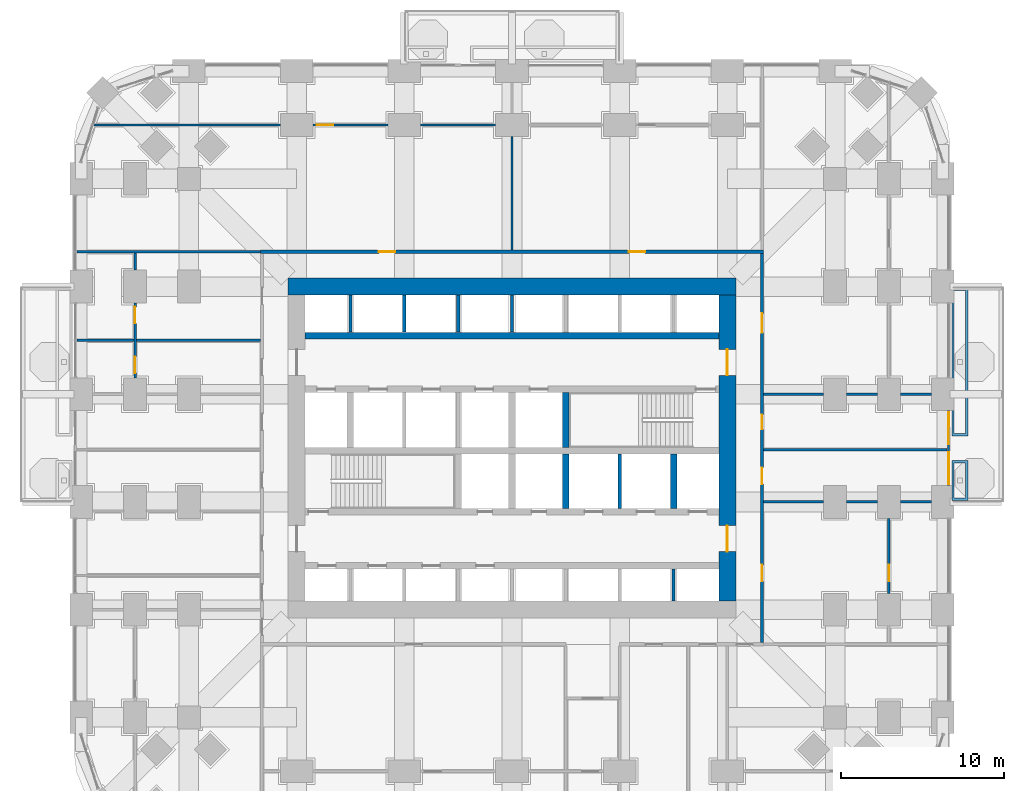
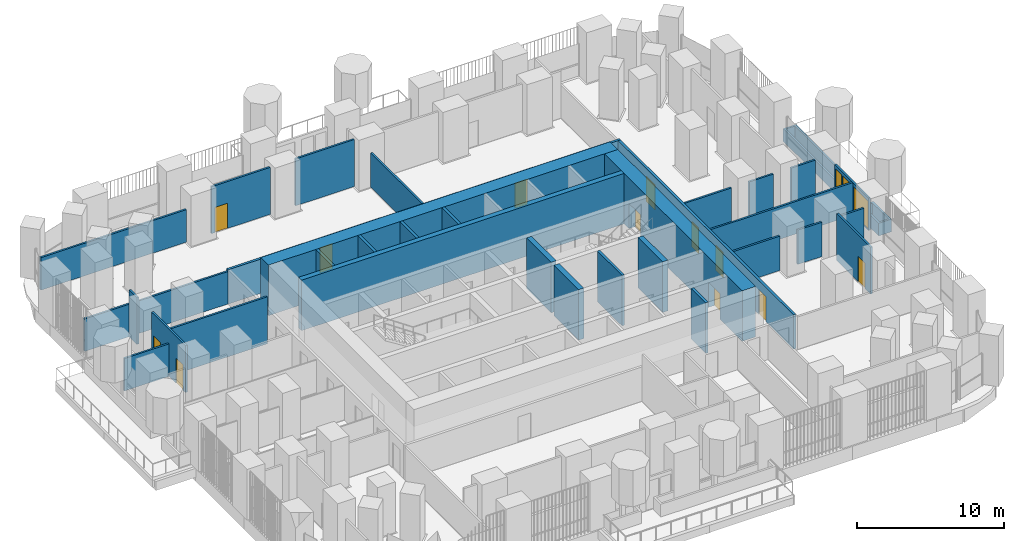
# One storey, part 18 of 24: 34 walls, 13 doors, 2 windows, 15 openings.
"""IFC4 building model written with IfcOpenShell, lengths in metres."""

from ifc_helpers import new_model, si_unit, direction, frame, frame_2d, origin, place, context, subcontext, project, spatial, polyline, rectangle, outline, extrude, material, layer, layer_set, type_object, element, fill, save


model = new_model("IFC4")

# Units and contexts
model_context = context("Model", 3, precision=1e-05, world=origin(), true_north=direction((0.0, 1.0)))
body_context = subcontext(model_context, "Body", "Model", "MODEL_VIEW")
ifc_project = project(units=[si_unit("LENGTHUNIT", "METRE"), si_unit("AREAUNIT", "SQUARE_METRE"), si_unit("VOLUMEUNIT", "CUBIC_METRE"), si_unit("PLANEANGLEUNIT", "RADIAN"), si_unit("MASSUNIT", "GRAM", prefix="KILO")], contexts=[model_context])

# Site, building, storey
site_placement = place(None, origin())
site = spatial("IfcSite", under=ifc_project, at=site_placement, CompositionType="ELEMENT")
building_placement = place(site_placement, origin())
building = spatial("IfcBuilding", under=site, at=building_placement, Name="Cobogo Forest Laboratory Tower", CompositionType="ELEMENT")
storey_placement = place(building_placement, frame((0.0, 0.0, 17.10009765625)))
storey = spatial("IfcBuildingStorey", under=building, at=storey_placement, Name="L03", CompositionType="ELEMENT", Elevation=17.10009765625)

# Walls
ifc_material_1 = material(Name="Concrete HA-50 (C50/60)", Category="concrete")
ifc_layer_1 = layer(ifc_material_1, 0.39990234375)
ifc_layer_set_1 = layer_set([ifc_layer_1], Name="CI400 core inner wall 400")
wall_type_1 = type_object("IfcWallType", Name="CI400 core inner wall 400", PredefinedType="SHEAR", material=ifc_layer_set_1)
wall_1_placement = place(storey_placement, frame((13.72509765625, 30.0, 0.0), z_axis=(0.0, 0.0, 1.0), x_axis=(1.0, 0.0, 0.0)))
element("IfcWall", 1, at=wall_1_placement, inside=storey, type_object=wall_type_1, Name="Core wall CI-30.0 L03", PredefinedType="SHEAR", context=body_context, shape_type="SweptSolid", body=[
    extrude(rectangle(XDim=25.349853515625, YDim=0.39990234375, at=frame_2d((12.6748046875, 0.0))), origin(), (0.0, 0.0, 1.0), 4.199951171875),
])
for number, where, z_axis, x_axis, name in (
    (2, (29.699951171875, 19.39990234375, 0.0), (0.0, 0.0, 1.0), (0.0, 1.0, 0.0), "Core wall CX-29.7S L03"),
    (3, (36.300048828125, 19.39990234375, 0.0), (0.0, 0.0, 1.0), (0.0, 1.0, 0.0), "Core wall CX-36.3 L03"),
    (4, (29.699951171875, 23.14990234375, 0.0), (0.0, 0.0, 1.0), (0.0, 1.0, 0.0), "Core wall CX-29.7N L03"),
):
    element("IfcWall", number, at=place(storey_placement, frame(where, z_axis=z_axis, x_axis=x_axis)), inside=storey, type_object=wall_type_1, Name=name, PredefinedType="SHEAR", context=body_context, shape_type="SweptSolid", body=[
        extrude(rectangle(XDim=3.35009765625, YDim=0.39990234375, at=frame_2d((1.675048828125, 0.0))), origin(), (0.0, 0.0, 1.0), 4.199951171875),
    ])

# Wall, openings, doors
ifc_layer_2 = layer(ifc_material_1, 1.050048828125)
ifc_layer_set_2 = layer_set([ifc_layer_2], Name="CW1050 core outer wall 1050")
wall_type_2 = type_object("IfcWallType", Name="CW1050 core outer wall 1050", PredefinedType="SHEAR", material=ifc_layer_set_2)
wall_2_placement = place(storey_placement, frame((39.60009765625, 13.72509765625, 0.0), z_axis=(0.0, 0.0, 1.0), x_axis=(0.0, 1.0, 0.0)))
wall_2 = element("IfcWall", 5, at=wall_2_placement, inside=storey, type_object=wall_type_2, Name="Core wall CO-E L03", PredefinedType="SHEAR", context=body_context, shape_type="SweptSolid", body=[
    extrude(rectangle(XDim=18.75, YDim=1.050048828125, at=frame_2d((9.375, 0.0))), origin(), (0.0, 0.0, 1.0), 4.199951171875),
])
opening_1_placement = place(wall_2_placement, frame((3.02490234375, 0.0, 0.0)))
opening_1 = element("IfcOpeningElement", 6, at=opening_1_placement, cuts=wall_2, Name="Opening L03-D17", PredefinedType="OPENING", context=body_context, shape_type="SweptSolid", body=[
    extrude(rectangle(XDim=1.60009765625, YDim=2.10009765625, at=frame_2d((0.800048828125, 1.050048828125))), frame((0.0, 0.534912109375, 0.0), z_axis=(0.0, -1.0, 0.0), x_axis=(1.0, 0.0, 0.0)), (0.0, 0.0, 1.0), 1.070068359375),
])
opening_2_placement = place(wall_2_placement, frame((13.824951171875, 0.0, 0.0)))
opening_2 = element("IfcOpeningElement", 7, at=opening_2_placement, cuts=wall_2, Name="Opening L03-D31", PredefinedType="OPENING", context=body_context, shape_type="SweptSolid", body=[
    extrude(rectangle(XDim=1.60009765625, YDim=2.10009765625, at=frame_2d((0.800048828125, 1.050048828125))), frame((0.0, 0.534912109375, 0.0), z_axis=(0.0, -1.0, 0.0), x_axis=(1.0, 0.0, 0.0)), (0.0, 0.0, 1.0), 1.070068359375),
])
ifc_material_2 = material(Name="Steel fire door", Category="steel")
door_type_1 = type_object("IfcDoorType", Name="DS2 protected lobby door pair 1600 EI2 60", OperationType="DOUBLE_DOOR_DOUBLE_SWING", PredefinedType="DOOR", material=ifc_material_2)
door_1_placement = place(opening_1_placement, origin())
door_1 = element("IfcDoor", 8, at=door_1_placement, inside=storey, type_object=door_type_1, Name="Door L03-CO-E-S", OperationType="DOUBLE_DOOR_DOUBLE_SWING", OverallHeight=2.10009765625, OverallWidth=1.60009765625, PredefinedType="DOOR", context=body_context, shape_type="SweptSolid", body=[
    extrude(rectangle(XDim=1.60009765625, YDim=2.10009765625, at=frame_2d((0.800048828125, 1.050048828125))), frame((0.0, 0.02490234375, 0.0), z_axis=(0.0, -1.0, 0.0), x_axis=(1.0, 0.0, 0.0)), (0.0, 0.0, 1.0), 0.050048828125),
])
fill(opening_1, door_1)
door_2_placement = place(opening_2_placement, origin())
door_2 = element("IfcDoor", 9, at=door_2_placement, inside=storey, type_object=door_type_1, Name="Door L03-CO-E-N", OperationType="DOUBLE_DOOR_DOUBLE_SWING", OverallHeight=2.10009765625, OverallWidth=1.60009765625, PredefinedType="DOOR", context=body_context, shape_type="SweptSolid", body=[
    extrude(rectangle(XDim=1.60009765625, YDim=2.10009765625, at=frame_2d((0.800048828125, 1.050048828125))), frame((0.0, 0.02490234375, 0.0), z_axis=(0.0, -1.0, 0.0), x_axis=(1.0, 0.0, 0.0)), (0.0, 0.0, 1.0), 0.050048828125),
])
fill(opening_2, door_2)

# Wall
wall_3_placement = place(storey_placement, frame((40.125, 33.0, 0.0), z_axis=(0.0, 0.0, 1.0), x_axis=(-1.0, 0.0, 0.0)))
element("IfcWall", 10, at=wall_3_placement, inside=storey, type_object=wall_type_2, Name="Core wall CO-N L03", PredefinedType="SHEAR", context=body_context, shape_type="SweptSolid", body=[
    extrude(rectangle(XDim=27.449951171875, YDim=1.050048828125, at=frame_2d((13.72509765625, 0.0))), origin(), (0.0, 0.0, 1.0), 4.199951171875),
])

# Wall, openings, door, windows
ifc_material_3 = material(Name="Aluminium framed glazed screen", Category="aluminium")
ifc_layer_3 = layer(ifc_material_3, 0.14990234375)
ifc_layer_set_3 = layer_set([ifc_layer_3], Name="GS1 glazed door screen 150")
wall_type_3 = type_object("IfcWallType", Name="GS1 glazed door screen 150", PredefinedType="SOLIDWALL", material=ifc_layer_set_3)
wall_4_placement = place(storey_placement, frame((53.14990234375, 20.800048828125, 0.0), z_axis=(0.0, 0.0, 1.0), x_axis=(0.0, 1.0, 0.0)))
wall_4 = element("IfcWall", 11, at=wall_4_placement, inside=storey, type_object=wall_type_3, Name="Door screen BAL-E1 L03", PredefinedType="SOLIDWALL", context=body_context, shape_type="SweptSolid", body=[
    extrude(rectangle(XDim=4.599853515625, YDim=0.14990234375, at=frame_2d((2.2998046875, 0.0))), origin(), (0.0, 0.0, 1.0), 2.699951171875),
])
opening_3_placement = place(wall_4_placement, frame((2.550048828125, 0.0, 0.0)))
opening_3 = element("IfcOpeningElement", 12, at=opening_3_placement, cuts=wall_4, Name="Opening L03-D24", PredefinedType="OPENING", context=body_context, shape_type="SweptSolid", body=[
    extrude(rectangle(XDim=1.0, YDim=2.39990234375, at=frame_2d((0.5, 1.199951171875))), frame((0.0, 0.0849609375, 0.0), z_axis=(0.0, -1.0, 0.0), x_axis=(1.0, 0.0, 0.0)), (0.0, 0.0, 1.0), 0.169921875),
])
opening_4_placement = place(wall_4_placement, frame((0.10009765625, 0.0, 0.10009765625)))
opening_4 = element("IfcOpeningElement", 13, at=opening_4_placement, cuts=wall_4, Name="Opening L03-W04", PredefinedType="OPENING", context=body_context, shape_type="SweptSolid", body=[
    extrude(rectangle(XDim=1.949951171875, YDim=2.300048828125, at=frame_2d((0.97509765625, 1.14990234375))), frame((0.0, 0.0849609375, 0.0), z_axis=(0.0, -1.0, 0.0), x_axis=(1.0, 0.0, 0.0)), (0.0, 0.0, 1.0), 0.169921875),
])
opening_5_placement = place(wall_4_placement, frame((3.64990234375, 0.0, 0.10009765625)))
opening_5 = element("IfcOpeningElement", 14, at=opening_5_placement, cuts=wall_4, Name="Opening L03-W06", PredefinedType="OPENING", context=body_context, shape_type="SweptSolid", body=[
    extrude(rectangle(XDim=0.85009765625, YDim=2.300048828125, at=frame_2d((0.425048828125, 1.14990234375))), frame((0.0, 0.0849609375, 0.0), z_axis=(0.0, -1.0, 0.0), x_axis=(1.0, 0.0, 0.0)), (0.0, 0.0, 1.0), 0.169921875),
])
ifc_material_4 = material(Name="Aluminium glazed door", Category="aluminium")
door_type_2 = type_object("IfcDoorType", Name="DB1 balcony door 1000 glazed", OperationType="SINGLE_SWING_LEFT", PredefinedType="DOOR", material=ifc_material_4)
door_3_placement = place(opening_3_placement, origin())
door_3 = element("IfcDoor", 15, at=door_3_placement, inside=storey, type_object=door_type_2, Name="Door L03-BAL-E1", OperationType="SINGLE_SWING_RIGHT", OverallHeight=2.39990234375, OverallWidth=1.0, PredefinedType="DOOR", context=body_context, shape_type="SweptSolid", body=[
    extrude(rectangle(XDim=1.0, YDim=2.39990234375, at=frame_2d((0.5, 1.199951171875))), frame((0.0, 0.02490234375, 0.0), z_axis=(0.0, -1.0, 0.0), x_axis=(1.0, 0.0, 0.0)), (0.0, 0.0, 1.0), 0.050048828125),
])
fill(opening_3, door_3)
ifc_material_5 = material(Name="Aluminium framed glazing", Category="aluminium")
window_type_1 = type_object("IfcWindowType", Name="WG1 fixed glazed light 1950x2300", PartitioningType="SINGLE_PANEL", PredefinedType="WINDOW", material=ifc_material_5)
window_1_placement = place(opening_4_placement, origin())
window_1 = element("IfcWindow", 16, at=window_1_placement, inside=storey, type_object=window_type_1, Name="Window L03-BAL-E1-1", OverallHeight=2.300048828125, OverallWidth=1.949951171875, PartitioningType="SINGLE_PANEL", PredefinedType="WINDOW", context=body_context, shape_type="SweptSolid", body=[
    extrude(rectangle(XDim=1.949951171875, YDim=2.300048828125, at=frame_2d((0.97509765625, 1.14990234375))), frame((0.0, 0.030029296875, 0.0), z_axis=(0.0, -1.0, 0.0), x_axis=(1.0, 0.0, 0.0)), (0.0, 0.0, 1.0), 0.06005859375),
])
fill(opening_4, window_1)
window_type_2 = type_object("IfcWindowType", Name="WG2 fixed glazed light 850x2300", PartitioningType="SINGLE_PANEL", PredefinedType="WINDOW", material=ifc_material_5)
window_2_placement = place(opening_5_placement, origin())
window_2 = element("IfcWindow", 17, at=window_2_placement, inside=storey, type_object=window_type_2, Name="Window L03-BAL-E1-2", OverallHeight=2.300048828125, OverallWidth=0.85009765625, PartitioningType="SINGLE_PANEL", PredefinedType="WINDOW", context=body_context, shape_type="SweptSolid", body=[
    extrude(rectangle(XDim=0.85009765625, YDim=2.300048828125, at=frame_2d((0.425048828125, 1.14990234375))), frame((0.0, 0.030029296875, 0.0), z_axis=(0.0, -1.0, 0.0), x_axis=(1.0, 0.0, 0.0)), (0.0, 0.0, 1.0), 0.06005859375),
])
fill(opening_5, window_2)

# Wall
ifc_material_6 = material(Name="Gypsum board on steel studs", Category="steel")
ifc_layer_4 = layer(ifc_material_6, 0.14990234375)
ifc_layer_set_4 = layer_set([ifc_layer_4], Name="PT1 laboratory partition 150")
wall_type_4 = type_object("IfcWallType", Name="PT1 laboratory partition 150", PredefinedType="PARTITIONING", material=ifc_layer_set_4)
wall_5_placement = place(storey_placement, frame((-0.27001953125, 35.125, 0.0), z_axis=(0.0, 0.0, 1.0), x_axis=(1.0, 0.0, 0.0)))
element("IfcWall", 18, at=wall_5_placement, inside=storey, type_object=wall_type_4, Name="Partition PW-NW L03", PredefinedType="PARTITIONING", context=body_context, shape_type="SweptSolid", body=[
    extrude(rectangle(XDim=11.2451171875, YDim=0.14990234375, at=frame_2d((5.62255859375, 0.0))), origin(), (0.0, 0.0, 1.0), 2.699951171875),
])

# Wall, opening, door
wall_6_placement = place(storey_placement, frame((49.5, 14.199951171875, 0.0), z_axis=(0.0, 0.0, 1.0), x_axis=(0.0, 1.0, 0.0)))
wall_6 = element("IfcWall", 19, at=wall_6_placement, inside=storey, type_object=wall_type_4, Name="Partition STRIP-E-2 L03", PredefinedType="PARTITIONING", context=body_context, shape_type="SweptSolid", body=[
    extrude(rectangle(XDim=4.60009765625, YDim=0.14990234375, at=frame_2d((2.300048828125, 0.0))), origin(), (0.0, 0.0, 1.0), 3.89990234375),
])
opening_6_placement = place(wall_6_placement, frame((0.737548828125, 0.0, 0.0)))
opening_6 = element("IfcOpeningElement", 20, at=opening_6_placement, cuts=wall_6, Name="Opening L03-D14", PredefinedType="OPENING", context=body_context, shape_type="SweptSolid", body=[
    extrude(rectangle(XDim=1.0, YDim=2.10009765625, at=frame_2d((0.5, 1.050048828125))), frame((0.0, 0.0849609375, 0.0), z_axis=(0.0, -1.0, 0.0), x_axis=(1.0, 0.0, 0.0)), (0.0, 0.0, 1.0), 0.169921875),
])
ifc_material_7 = material(Name="Timber fire door", Category="wood")
door_type_3 = type_object("IfcDoorType", Name="FD2 fire door 1000 EI2 30", OperationType="SINGLE_SWING_LEFT", PredefinedType="DOOR", material=ifc_material_7)
door_4_placement = place(opening_6_placement, origin())
door_4 = element("IfcDoor", 21, at=door_4_placement, inside=storey, type_object=door_type_3, Name="Door L03-E1W", OperationType="SINGLE_SWING_LEFT", OverallHeight=2.10009765625, OverallWidth=1.0, PredefinedType="DOOR", context=body_context, shape_type="SweptSolid", body=[
    extrude(rectangle(XDim=1.0, YDim=2.10009765625, at=frame_2d((0.5, 1.050048828125))), frame((0.0, 0.02490234375, 0.0), z_axis=(0.0, -1.0, 0.0), x_axis=(1.0, 0.0, 0.0)), (0.0, 0.0, 1.0), 0.050048828125),
])
fill(opening_6, door_4)

# Walls
wall_7_placement = place(storey_placement, frame((53.070068359375, 23.0, 0.0), z_axis=(0.0, 0.0, 1.0), x_axis=(-1.0, 0.0, 0.0)))
element("IfcWall", 22, at=wall_7_placement, inside=storey, type_object=wall_type_4, Name="Partition SVC-E1-1 L03", PredefinedType="PARTITIONING", context=body_context, shape_type="SweptSolid", body=[
    extrude(rectangle(XDim=11.2451171875, YDim=0.14990234375, at=frame_2d((5.62255859375, 0.0))), origin(), (0.0, 0.0, 1.0), 2.699951171875),
])
for number, where, z_axis, x_axis, name in (
    (23, (52.10009765625, 26.39990234375, 0.0), (0.0, 0.0, 1.0), (-1.0, 0.0, 0.0), "Partition SVC-E2-1 L03"),
    (24, (48.800048828125, 26.39990234375, 0.0), (0.0, 0.0, 1.0), (-1.0, 0.0, 0.0), "Partition SVC-E2-2 L03"),
):
    element("IfcWall", number, at=place(storey_placement, frame(where, z_axis=z_axis, x_axis=x_axis)), inside=storey, type_object=wall_type_4, Name=name, PredefinedType="PARTITIONING", context=body_context, shape_type="SweptSolid", body=[
        extrude(rectangle(XDim=1.900146484375, YDim=0.14990234375, at=frame_2d((0.9501953125, 0.0))), origin(), (0.0, 0.0, 1.0), 2.849853515625),
    ])
wall_8_placement = place(storey_placement, frame((45.5, 26.39990234375, 0.0), z_axis=(0.0, 0.0, 1.0), x_axis=(-1.0, 0.0, 0.0)))
element("IfcWall", 25, at=wall_8_placement, inside=storey, type_object=wall_type_4, Name="Partition SVC-E2-3 L03", PredefinedType="PARTITIONING", context=body_context, shape_type="SweptSolid", body=[
    extrude(rectangle(XDim=3.675048828125, YDim=0.14990234375, at=frame_2d((1.83740234375, 0.0))), origin(), (0.0, 0.0, 1.0), 2.849853515625),
])
for number, where, z_axis, x_axis, name in (
    (26, (52.10009765625, 19.800048828125, 0.0), (0.0, 0.0, 1.0), (-1.0, 0.0, 0.0), "Partition CUT-E19.8-1 L03"),
    (27, (48.800048828125, 19.800048828125, 0.0), (0.0, 0.0, 1.0), (-1.0, 0.0, 0.0), "Partition CUT-E19.8-2 L03"),
):
    element("IfcWall", number, at=place(storey_placement, frame(where, z_axis=z_axis, x_axis=x_axis)), inside=storey, type_object=wall_type_4, Name=name, PredefinedType="PARTITIONING", context=body_context, shape_type="SweptSolid", body=[
        extrude(rectangle(XDim=1.900146484375, YDim=0.14990234375, at=frame_2d((0.9501953125, 0.0))), origin(), (0.0, 0.0, 1.0), 2.849853515625),
    ])
wall_9_placement = place(storey_placement, frame((45.5, 19.800048828125, 0.0), z_axis=(0.0, 0.0, 1.0), x_axis=(-1.0, 0.0, 0.0)))
element("IfcWall", 28, at=wall_9_placement, inside=storey, type_object=wall_type_4, Name="Partition CUT-E19.8-3 L03", PredefinedType="PARTITIONING", context=body_context, shape_type="SweptSolid", body=[
    extrude(rectangle(XDim=3.675048828125, YDim=0.14990234375, at=frame_2d((1.83740234375, 0.0))), origin(), (0.0, 0.0, 1.0), 2.849853515625),
])
wall_10_placement = place(storey_placement, frame((25.39990234375, 42.89990234375, 0.0), z_axis=(0.0, 0.0, 1.0), x_axis=(-1.0, 0.0, 0.0)))
element("IfcWall", 29, at=wall_10_placement, inside=storey, type_object=wall_type_4, Name="Partition STRIP-N-4 L03", PredefinedType="PARTITIONING", context=body_context, shape_type="SweptSolid", body=[
    extrude(rectangle(XDim=4.599853515625, YDim=0.14990234375, at=frame_2d((2.2998046875, 0.0))), origin(), (0.0, 0.0, 1.0), 3.89990234375),
])

# Wall, opening, door
wall_11_placement = place(storey_placement, frame((18.800048828125, 42.89990234375, 0.0), z_axis=(0.0, 0.0, 1.0), x_axis=(-1.0, 0.0, 0.0)))
wall_11 = element("IfcWall", 30, at=wall_11_placement, inside=storey, type_object=wall_type_4, Name="Partition STRIP-N-5 L03", PredefinedType="PARTITIONING", context=body_context, shape_type="SweptSolid", body=[
    extrude(rectangle(XDim=4.60009765625, YDim=0.14990234375, at=frame_2d((2.300048828125, 0.0))), origin(), (0.0, 0.0, 1.0), 3.89990234375),
])
opening_7_placement = place(wall_11_placement, frame((3.35009765625, 0.0, 0.0)))
opening_7 = element("IfcOpeningElement", 31, at=opening_7_placement, cuts=wall_11, Name="Opening L03-D38", PredefinedType="OPENING", context=body_context, shape_type="SweptSolid", body=[
    extrude(rectangle(XDim=1.0, YDim=2.10009765625, at=frame_2d((0.5, 1.050048828125))), frame((0.0, 0.0849609375, 0.0), z_axis=(0.0, -1.0, 0.0), x_axis=(1.0, 0.0, 0.0)), (0.0, 0.0, 1.0), 0.169921875),
])
door_5_placement = place(opening_7_placement, origin())
door_5 = element("IfcDoor", 32, at=door_5_placement, inside=storey, type_object=door_type_3, Name="Door L03-N1W", OperationType="SINGLE_SWING_RIGHT", OverallHeight=2.10009765625, OverallWidth=1.0, PredefinedType="DOOR", context=body_context, shape_type="SweptSolid", body=[
    extrude(rectangle(XDim=1.0, YDim=2.10009765625, at=frame_2d((0.5, 1.050048828125))), frame((0.0, 0.02490234375, 0.0), z_axis=(0.0, -1.0, 0.0), x_axis=(1.0, 0.0, 0.0)), (0.0, 0.0, 1.0), 0.050048828125),
])
fill(opening_7, door_5)

# Walls
wall_12_placement = place(storey_placement, frame((12.199951171875, 42.89990234375, 0.0), z_axis=(0.0, 0.0, 1.0), x_axis=(-1.0, 0.0, 0.0)))
element("IfcWall", 33, at=wall_12_placement, inside=storey, type_object=wall_type_4, Name="Partition STRIP-N-6 L03", PredefinedType="PARTITIONING", context=body_context, shape_type="SweptSolid", body=[
    extrude(rectangle(XDim=11.423828125, YDim=0.14990234375, at=frame_2d((5.7119140625, 0.0))), origin(), (0.0, 0.0, 1.0), 2.699951171875),
])
wall_13_placement = place(storey_placement, frame((26.39990234375, 42.199951171875, 0.0), z_axis=(0.0, 0.0, 1.0), x_axis=(0.0, -1.0, 0.0)))
element("IfcWall", 34, at=wall_13_placement, inside=storey, type_object=wall_type_4, Name="Partition CUT-N26.4b-1 L03", PredefinedType="PARTITIONING", context=body_context, shape_type="SweptSolid", body=[
    extrude(rectangle(XDim=6.974853515625, YDim=0.14990234375, at=frame_2d((3.4873046875, 0.0))), origin(), (0.0, 0.0, 1.0), 2.849853515625),
])
wall_14_placement = place(storey_placement, frame((3.300048828125, 35.050048828125, 0.0), z_axis=(0.0, 0.0, 1.0), x_axis=(0.0, -1.0, 0.0)))
element("IfcWall", 35, at=wall_14_placement, inside=storey, type_object=wall_type_4, Name="Partition STRIP-W-1 L03", PredefinedType="PARTITIONING", context=body_context, shape_type="SweptSolid", body=[
    extrude(rectangle(XDim=1.050048828125, YDim=0.14990234375, at=frame_2d((0.52490234375, 0.0))), origin(), (0.0, 0.0, 1.0), 3.89990234375),
])

# Wall, openings, doors
wall_15_placement = place(storey_placement, frame((3.300048828125, 32.0, 0.0), z_axis=(0.0, 0.0, 1.0), x_axis=(0.0, -1.0, 0.0)))
wall_15 = element("IfcWall", 36, at=wall_15_placement, inside=storey, type_object=wall_type_4, Name="Partition STRIP-W-2 L03", PredefinedType="PARTITIONING", context=body_context, shape_type="SweptSolid", body=[
    extrude(rectangle(XDim=4.60009765625, YDim=0.14990234375, at=frame_2d((2.300048828125, 0.0))), origin(), (0.0, 0.0, 1.0), 3.89990234375),
])
opening_8_placement = place(wall_15_placement, frame((3.300048828125, 0.0, 0.0)))
opening_8 = element("IfcOpeningElement", 37, at=opening_8_placement, cuts=wall_15, Name="Opening L03-D29", PredefinedType="OPENING", context=body_context, shape_type="SweptSolid", body=[
    extrude(rectangle(XDim=1.0, YDim=2.10009765625, at=frame_2d((0.5, 1.050048828125))), frame((0.0, 0.0849609375, 0.0), z_axis=(0.0, -1.0, 0.0), x_axis=(1.0, 0.0, 0.0)), (0.0, 0.0, 1.0), 0.169921875),
])
opening_9_placement = place(wall_15_placement, frame((0.25, 0.0, 0.0)))
opening_9 = element("IfcOpeningElement", 38, at=opening_9_placement, cuts=wall_15, Name="Opening L03-D33", PredefinedType="OPENING", context=body_context, shape_type="SweptSolid", body=[
    extrude(rectangle(XDim=1.0, YDim=2.10009765625, at=frame_2d((0.5, 1.050048828125))), frame((0.0, 0.0849609375, 0.0), z_axis=(0.0, -1.0, 0.0), x_axis=(1.0, 0.0, 0.0)), (0.0, 0.0, 1.0), 0.169921875),
])
door_6_placement = place(opening_8_placement, origin())
door_6 = element("IfcDoor", 39, at=door_6_placement, inside=storey, type_object=door_type_3, Name="Door L03-W3W", OperationType="SINGLE_SWING_RIGHT", OverallHeight=2.10009765625, OverallWidth=1.0, PredefinedType="DOOR", context=body_context, shape_type="SweptSolid", body=[
    extrude(rectangle(XDim=1.0, YDim=2.10009765625, at=frame_2d((0.5, 1.050048828125))), frame((0.0, 0.02490234375, 0.0), z_axis=(0.0, -1.0, 0.0), x_axis=(1.0, 0.0, 0.0)), (0.0, 0.0, 1.0), 0.050048828125),
])
fill(opening_8, door_6)
door_7_placement = place(opening_9_placement, origin())
door_7 = element("IfcDoor", 40, at=door_7_placement, inside=storey, type_object=door_type_3, Name="Door L03-W4W", OperationType="SINGLE_SWING_LEFT", OverallHeight=2.10009765625, OverallWidth=1.0, PredefinedType="DOOR", context=body_context, shape_type="SweptSolid", body=[
    extrude(rectangle(XDim=1.0, YDim=2.10009765625, at=frame_2d((0.5, 1.050048828125))), frame((0.0, 0.02490234375, 0.0), z_axis=(0.0, -1.0, 0.0), x_axis=(1.0, 0.0, 0.0)), (0.0, 0.0, 1.0), 0.050048828125),
])
fill(opening_9, door_7)

# Walls
wall_16_placement = place(storey_placement, frame((-0.27001953125, 29.699951171875, 0.0), z_axis=(0.0, 0.0, 1.0), x_axis=(1.0, 0.0, 0.0)))
element("IfcWall", 41, at=wall_16_placement, inside=storey, type_object=wall_type_4, Name="Partition CUT-W29.7a-1 L03", PredefinedType="PARTITIONING", context=body_context, shape_type="SweptSolid", body=[
    extrude(rectangle(XDim=3.4951171875, YDim=0.14990234375, at=frame_2d((1.74755859375, 0.0))), origin(), (0.0, 0.0, 1.0), 2.699951171875),
])
wall_17_placement = place(storey_placement, frame((3.375, 29.699951171875, 0.0), z_axis=(0.0, 0.0, 1.0), x_axis=(1.0, 0.0, 0.0)))
element("IfcWall", 42, at=wall_17_placement, inside=storey, type_object=wall_type_4, Name="Partition CUT-W29.7b-1 L03", PredefinedType="PARTITIONING", context=body_context, shape_type="SweptSolid", body=[
    extrude(rectangle(XDim=7.60009765625, YDim=0.14990234375, at=frame_2d((3.800048828125, 0.0))), origin(), (0.0, 0.0, 1.0), 3.89990234375),
])

# Wall, openings, doors
ifc_layer_5 = layer(ifc_material_6, 0.199951171875)
ifc_layer_set_5 = layer_set([ifc_layer_5], Name="PT2 fire-rated corridor partition 200")
wall_type_5 = type_object("IfcWallType", Name="PT2 fire-rated corridor partition 200", PredefinedType="PARTITIONING", material=ifc_layer_set_5)
wall_18_placement = place(storey_placement, frame((10.97509765625, 35.125, 0.0), z_axis=(0.0, 0.0, 1.0), x_axis=(1.0, 0.0, 0.0)))
wall_18 = element("IfcWall", 43, at=wall_18_placement, inside=storey, type_object=wall_type_5, Name="Partition CORR-N L03", PredefinedType="PARTITIONING", context=body_context, shape_type="SweptSolid", body=[
    extrude(rectangle(XDim=30.849853515625, YDim=0.199951171875, at=frame_2d((15.4248046875, 0.0))), origin(), (0.0, 0.0, 1.0), 2.849853515625),
])
opening_10_placement = place(wall_18_placement, frame((7.262451171875, 0.0, 0.0)))
opening_10 = element("IfcOpeningElement", 44, at=opening_10_placement, cuts=wall_18, Name="Opening L03-D35", PredefinedType="OPENING", context=body_context, shape_type="SweptSolid", body=[
    extrude(rectangle(XDim=1.0, YDim=2.10009765625, at=frame_2d((0.5, 1.050048828125))), frame((0.0, 0.10986328125, 0.0), z_axis=(0.0, -1.0, 0.0), x_axis=(1.0, 0.0, 0.0)), (0.0, 0.0, 1.0), 0.219970703125),
])
opening_11_placement = place(wall_18_placement, frame((22.58740234375, 0.0, 0.0)))
opening_11 = element("IfcOpeningElement", 45, at=opening_11_placement, cuts=wall_18, Name="Opening L03-D36", PredefinedType="OPENING", context=body_context, shape_type="SweptSolid", body=[
    extrude(rectangle(XDim=1.0, YDim=2.10009765625, at=frame_2d((0.5, 1.050048828125))), frame((0.0, 0.10986328125, 0.0), z_axis=(0.0, -1.0, 0.0), x_axis=(1.0, 0.0, 0.0)), (0.0, 0.0, 1.0), 0.219970703125),
])
door_8_placement = place(opening_10_placement, origin())
door_8 = element("IfcDoor", 46, at=door_8_placement, inside=storey, type_object=door_type_3, Name="Door L03-N1", OperationType="SINGLE_SWING_LEFT", OverallHeight=2.10009765625, OverallWidth=1.0, PredefinedType="DOOR", context=body_context, shape_type="SweptSolid", body=[
    extrude(rectangle(XDim=1.0, YDim=2.10009765625, at=frame_2d((0.5, 1.050048828125))), frame((0.0, 0.02490234375, 0.0), z_axis=(0.0, -1.0, 0.0), x_axis=(1.0, 0.0, 0.0)), (0.0, 0.0, 1.0), 0.050048828125),
])
fill(opening_10, door_8)
door_9_placement = place(opening_11_placement, origin())
door_9 = element("IfcDoor", 47, at=door_9_placement, inside=storey, type_object=door_type_3, Name="Door L03-N2", OperationType="SINGLE_SWING_RIGHT", OverallHeight=2.10009765625, OverallWidth=1.0, PredefinedType="DOOR", context=body_context, shape_type="SweptSolid", body=[
    extrude(rectangle(XDim=1.0, YDim=2.10009765625, at=frame_2d((0.5, 1.050048828125))), frame((0.0, 0.02490234375, 0.0), z_axis=(0.0, -1.0, 0.0), x_axis=(1.0, 0.0, 0.0)), (0.0, 0.0, 1.0), 0.050048828125),
])
fill(opening_11, door_9)

wall_19_placement = place(storey_placement, frame((41.72509765625, 11.175048828125, 0.0), z_axis=(0.0, 0.0, 1.0), x_axis=(0.0, 1.0, 0.0)))
wall_19 = element("IfcWall", 48, at=wall_19_placement, inside=storey, type_object=wall_type_5, Name="Partition CORR-E L03", PredefinedType="PARTITIONING", context=body_context, shape_type="SweptSolid", body=[
    extrude(rectangle(XDim=23.849853515625, YDim=0.199951171875, at=frame_2d((11.9248046875, 0.0))), origin(), (0.0, 0.0, 1.0), 2.849853515625),
])
opening_12_placement = place(wall_19_placement, frame((3.762451171875, 0.0, 0.0)))
opening_12 = element("IfcOpeningElement", 49, at=opening_12_placement, cuts=wall_19, Name="Opening L03-D13", PredefinedType="OPENING", context=body_context, shape_type="SweptSolid", body=[
    extrude(rectangle(XDim=1.0, YDim=2.10009765625, at=frame_2d((0.5, 1.050048828125))), frame((0.0, 0.10986328125, 0.0), z_axis=(0.0, -1.0, 0.0), x_axis=(1.0, 0.0, 0.0)), (0.0, 0.0, 1.0), 0.219970703125),
])
opening_13_placement = place(wall_19_placement, frame((9.72509765625, 0.0, 0.0)))
opening_13 = element("IfcOpeningElement", 50, at=opening_13_placement, cuts=wall_19, Name="Opening L03-D22", PredefinedType="OPENING", context=body_context, shape_type="SweptSolid", body=[
    extrude(rectangle(XDim=1.0, YDim=2.10009765625, at=frame_2d((0.5, 1.050048828125))), frame((0.0, 0.10986328125, 0.0), z_axis=(0.0, -1.0, 0.0), x_axis=(1.0, 0.0, 0.0)), (0.0, 0.0, 1.0), 0.219970703125),
])
opening_14_placement = place(wall_19_placement, frame((13.074951171875, 0.0, 0.0)))
opening_14 = element("IfcOpeningElement", 51, at=opening_14_placement, cuts=wall_19, Name="Opening L03-D26", PredefinedType="OPENING", context=body_context, shape_type="SweptSolid", body=[
    extrude(rectangle(XDim=0.89990234375, YDim=2.10009765625, at=frame_2d((0.449951171875, 1.050048828125))), frame((0.0, 0.10986328125, 0.0), z_axis=(0.0, -1.0, 0.0), x_axis=(1.0, 0.0, 0.0)), (0.0, 0.0, 1.0), 0.219970703125),
])
opening_15_placement = place(wall_19_placement, frame((18.987548828125, 0.0, 0.0)))
opening_15 = element("IfcOpeningElement", 52, at=opening_15_placement, cuts=wall_19, Name="Opening L03-D32", PredefinedType="OPENING", context=body_context, shape_type="SweptSolid", body=[
    extrude(rectangle(XDim=1.199951171875, YDim=2.10009765625, at=frame_2d((0.60009765625, 1.050048828125))), frame((0.0, 0.10986328125, 0.0), z_axis=(0.0, -1.0, 0.0), x_axis=(1.0, 0.0, 0.0)), (0.0, 0.0, 1.0), 0.219970703125),
])
ifc_material_8 = material(Name="Timber door", Category="wood")
door_type_4 = type_object("IfcDoorType", Name="D2 laboratory door 1200 unequal pair", OperationType="DOUBLE_DOOR_SINGLE_SWING", PredefinedType="DOOR", material=ifc_material_8)
door_10_placement = place(opening_15_placement, origin())
door_10 = element("IfcDoor", 53, at=door_10_placement, inside=storey, type_object=door_type_4, Name="Door L03-E2", OperationType="DOUBLE_DOOR_SINGLE_SWING", OverallHeight=2.10009765625, OverallWidth=1.199951171875, PredefinedType="DOOR", context=body_context, shape_type="SweptSolid", body=[
    extrude(rectangle(XDim=1.199951171875, YDim=2.10009765625, at=frame_2d((0.60009765625, 1.050048828125))), frame((0.0, 0.02490234375, 0.0), z_axis=(0.0, -1.0, 0.0), x_axis=(1.0, 0.0, 0.0)), (0.0, 0.0, 1.0), 0.050048828125),
])
fill(opening_15, door_10)
door_type_5 = type_object("IfcDoorType", Name="FD1 fire door 1000 EI2 60", OperationType="SINGLE_SWING_LEFT", PredefinedType="DOOR", material=ifc_material_2)
door_11_placement = place(opening_13_placement, origin())
door_11 = element("IfcDoor", 54, at=door_11_placement, inside=storey, type_object=door_type_5, Name="Door L03-ELEC", OperationType="SINGLE_SWING_LEFT", OverallHeight=2.10009765625, OverallWidth=1.0, PredefinedType="DOOR", context=body_context, shape_type="SweptSolid", body=[
    extrude(rectangle(XDim=1.0, YDim=2.10009765625, at=frame_2d((0.5, 1.050048828125))), frame((0.0, 0.02490234375, 0.0), z_axis=(0.0, -1.0, 0.0), x_axis=(1.0, 0.0, 0.0)), (0.0, 0.0, 1.0), 0.050048828125),
])
fill(opening_13, door_11)
door_12_placement = place(opening_12_placement, origin())
door_12 = element("IfcDoor", 55, at=door_12_placement, inside=storey, type_object=door_type_3, Name="Door L03-E1", OperationType="SINGLE_SWING_LEFT", OverallHeight=2.10009765625, OverallWidth=1.0, PredefinedType="DOOR", context=body_context, shape_type="SweptSolid", body=[
    extrude(rectangle(XDim=1.0, YDim=2.10009765625, at=frame_2d((0.5, 1.050048828125))), frame((0.0, 0.02490234375, 0.0), z_axis=(0.0, -1.0, 0.0), x_axis=(1.0, 0.0, 0.0)), (0.0, 0.0, 1.0), 0.050048828125),
])
fill(opening_12, door_12)
door_type_6 = type_object("IfcDoorType", Name="FD4 riser access door 900 EI2 60", OperationType="SINGLE_SWING_LEFT", PredefinedType="DOOR", material=ifc_material_2)
door_13_placement = place(opening_14_placement, origin())
door_13 = element("IfcDoor", 56, at=door_13_placement, inside=storey, type_object=door_type_6, Name="Door L03-COMMS", OperationType="SINGLE_SWING_RIGHT", OverallHeight=2.10009765625, OverallWidth=0.89990234375, PredefinedType="DOOR", context=body_context, shape_type="SweptSolid", body=[
    extrude(rectangle(XDim=0.89990234375, YDim=2.10009765625, at=frame_2d((0.449951171875, 1.050048828125))), frame((0.0, 0.02490234375, 0.0), z_axis=(0.0, -1.0, 0.0), x_axis=(1.0, 0.0, 0.0)), (0.0, 0.0, 1.0), 0.050048828125),
])
fill(opening_14, door_13)

# Walls
ifc_material_9 = material(Name="Concrete HA-40 (C40/50)", Category="concrete")
ifc_layer_6 = layer(ifc_material_9, 0.14990234375)
ifc_layer_set_6 = layer_set([ifc_layer_6], Name="Planter box 1000x1050")
wall_type_6 = type_object("IfcWallType", Name="Planter box 1000x1050", PredefinedType="USERDEFINED", material=ifc_layer_set_6)
wall_20_placement = place(storey_placement, origin())
element("IfcWall", 57, at=wall_20_placement, inside=storey, type_object=wall_type_6, Name="Planter BAL-E1-1 L03", ObjectType="PLANTER", PredefinedType="USERDEFINED", context=body_context, shape_type="SweptSolid", body=[
    extrude(outline(polyline([(53.35009765625, 19.89990234375), (54.35009765625, 19.89990234375), (54.35009765625, 22.35009765625), (53.35009765625, 22.35009765625), (53.35009765625, 19.89990234375)]), holes=[polyline([(53.5, 20.050048828125), (54.199951171875, 20.050048828125), (54.199951171875, 22.199951171875), (53.5, 22.199951171875), (53.5, 20.050048828125)])]), origin(), (0.0, 0.0, 1.0), 1.0498046875),
])
wall_21_placement = place(storey_placement, origin())
element("IfcWall", 58, at=wall_21_placement, inside=storey, type_object=wall_type_6, Name="Planter BAL-E1-2 L03", ObjectType="PLANTER", PredefinedType="USERDEFINED", context=body_context, shape_type="SweptSolid", body=[
    extrude(outline(polyline([(53.35009765625, 23.85009765625), (54.35009765625, 23.85009765625), (54.35009765625, 32.89990234375), (53.35009765625, 32.89990234375), (53.35009765625, 23.85009765625)]), holes=[polyline([(53.5, 24.0), (54.199951171875, 24.0), (54.199951171875, 32.75), (53.5, 32.75), (53.5, 24.0)])]), origin(), (0.0, 0.0, 1.0), 1.0498046875),
])
ifc_material_10 = material(Name="Concrete block", Category="concrete")
ifc_layer_7 = layer(ifc_material_10, 0.199951171875)
ifc_layer_set_7 = layer_set([ifc_layer_7], Name="SW200 lift shaft separator 200")
wall_type_7 = type_object("IfcWallType", Name="SW200 lift shaft separator 200", PredefinedType="PARTITIONING", material=ifc_layer_set_7)
for number, where, z_axis, x_axis, name in (
    (59, (16.5, 30.199951171875, 0.0), (0.0, 0.0, 1.0), (0.0, 1.0, 0.0), "Core wall SEP-N1 L03"),
    (60, (19.800048828125, 30.199951171875, 0.0), (0.0, 0.0, 1.0), (0.0, 1.0, 0.0), "Core wall SEP-N2 L03"),
    (61, (23.10009765625, 30.199951171875, 0.0), (0.0, 0.0, 1.0), (0.0, 1.0, 0.0), "Core wall SEP-N3 L03"),
    (62, (26.39990234375, 30.199951171875, 0.0), (0.0, 0.0, 1.0), (0.0, 1.0, 0.0), "Core wall SEP-N4 L03"),
):
    element("IfcWall", number, at=place(storey_placement, frame(where, z_axis=z_axis, x_axis=x_axis)), inside=storey, type_object=wall_type_7, Name=name, PredefinedType="PARTITIONING", context=body_context, shape_type="SweptSolid", body=[
        extrude(rectangle(XDim=2.275146484375, YDim=0.199951171875, at=frame_2d((1.1376953125, 0.0))), origin(), (0.0, 0.0, 1.0), 4.199951171875),
    ])
wall_22_placement = place(storey_placement, frame((36.300048828125, 13.72509765625, 0.0), z_axis=(0.0, 0.0, 1.0), x_axis=(0.0, 1.0, 0.0)))
element("IfcWall", 63, at=wall_22_placement, inside=storey, type_object=wall_type_7, Name="Core wall SEP-S7 L03", PredefinedType="PARTITIONING", context=body_context, shape_type="SweptSolid", body=[
    extrude(rectangle(XDim=1.974853515625, YDim=0.199951171875, at=frame_2d((0.9873046875, 0.0))), origin(), (0.0, 0.0, 1.0), 4.199951171875),
])
wall_23_placement = place(storey_placement, frame((33.0, 19.39990234375, 0.0), z_axis=(0.0, 0.0, 1.0), x_axis=(0.0, 1.0, 0.0)))
element("IfcWall", 64, at=wall_23_placement, inside=storey, type_object=wall_type_7, Name="Core wall SEP-M33.0 L03", PredefinedType="PARTITIONING", context=body_context, shape_type="SweptSolid", body=[
    extrude(rectangle(XDim=3.35009765625, YDim=0.199951171875, at=frame_2d((1.675048828125, 0.0))), origin(), (0.0, 0.0, 1.0), 4.199951171875),
])

save(model, "model.ifc")
